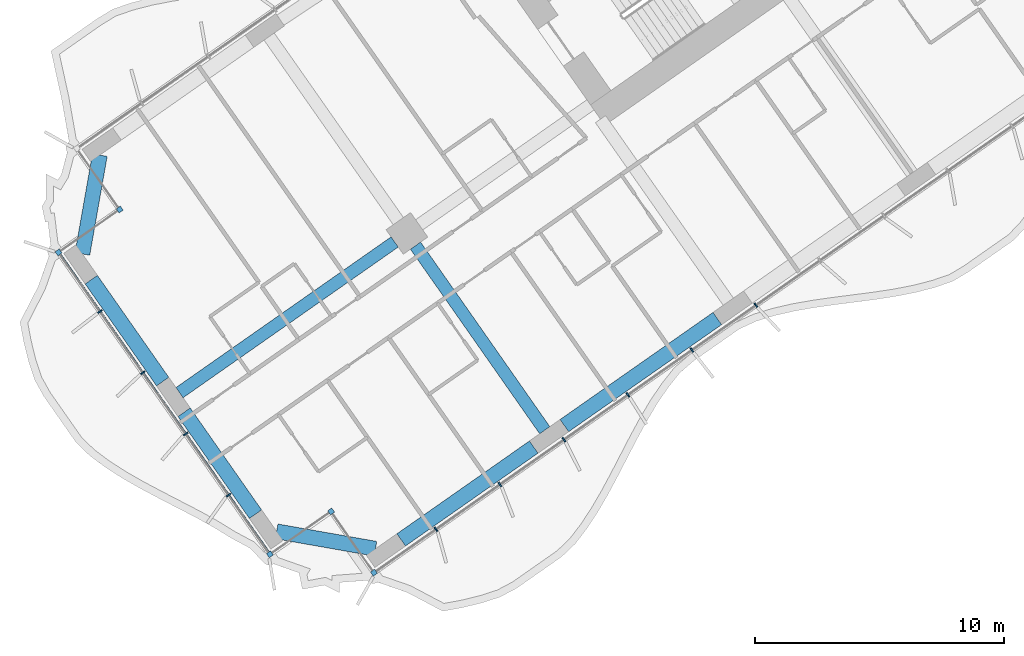
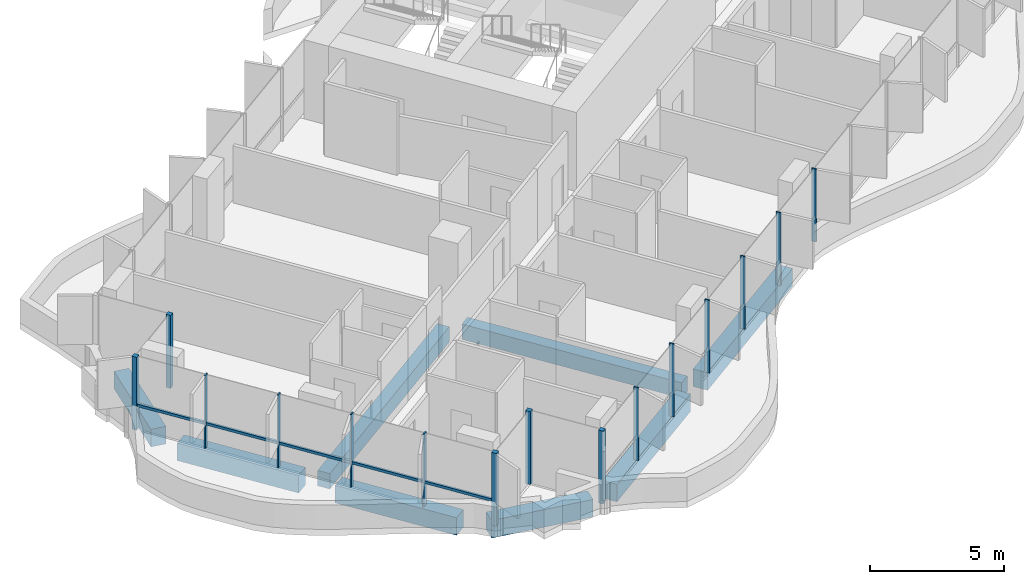
# One storey, part 2 of 25: 16 members, 8 beams, 1 element without a shape of its own.
"""IFC4 building model written with IfcOpenShell, lengths in metres."""

from ifc_helpers import new_model, si_unit, direction, frame, origin, origin_2d, place, context, subcontext, project, spatial, rectangle, extrude, material, material_profile, profile_set, type_object, element, aggregate, save


model = new_model("IFC4")

# Units and contexts
model_context = context("Model", 3, precision=1e-05, world=origin(), true_north=direction((0.0, 1.0)))
body_context = subcontext(model_context, "Body", "Model", "MODEL_VIEW")
ifc_project = project(units=[si_unit("LENGTHUNIT", "METRE"), si_unit("AREAUNIT", "SQUARE_METRE"), si_unit("VOLUMEUNIT", "CUBIC_METRE"), si_unit("PLANEANGLEUNIT", "RADIAN"), si_unit("MASSUNIT", "GRAM", prefix="KILO")], contexts=[model_context])

# Site, building, storey
site_placement = place(None, origin())
site = spatial("IfcSite", under=ifc_project, at=site_placement, CompositionType="ELEMENT")
building_placement = place(site_placement, origin())
building = spatial("IfcBuilding", under=site, at=building_placement, Name="Tel Ilan Convention Tower", CompositionType="ELEMENT")
storey_placement = place(building_placement, frame((0.0, 0.0, 58.10009765625)))
storey = spatial("IfcBuildingStorey", under=building, at=storey_placement, Name="L09", CompositionType="ELEMENT", Elevation=58.10009765625)

# Beams
ifc_material_1 = material(Name="Concrete C40/50", Category="concrete")
ifc_material_profile_1 = material_profile(ifc_material_1, rectangle(XDim=0.5, YDim=0.699951171875, at=origin_2d()), Name="RC 500x700")
ifc_profile_set_1 = profile_set([ifc_material_profile_1], Name="Concrete C40/50")
beam_type_1 = type_object("IfcBeamType", Name="Beam RC 500x700 Concrete C40/50", PredefinedType="BEAM", material=ifc_profile_set_1)
beam_1_placement = place(storey_placement, frame((-29.98095703125, -20.992919921875, -0.630126953125), z_axis=(-0.819151461915, -0.573577268067, 0.0), x_axis=(0.573577268067, -0.819151461915, 0.0)))
element("IfcBeam", 1, at=beam_1_placement, inside=storey, type_object=beam_type_1, Name="L09 beam W-W-M4-end", PredefinedType="BEAM", context=body_context, shape_type="SweptSolid", body=[
    extrude(rectangle(XDim=0.5, YDim=0.699951171875, at=origin_2d()), origin(), (0.0, 0.0, 1.0), 10.550048828125),
])
beam_2_placement = place(storey_placement, frame((-29.145263671875, -21.14013671875, -0.630126953125), z_axis=(0.573549245583, -0.819171082798, 0.0), x_axis=(0.819171082798, 0.573549245583, 0.0)))
element("IfcBeam", 2, at=beam_2_placement, inside=storey, type_object=beam_type_1, Name="L09 beam W-W-M4-W-F4", PredefinedType="BEAM", context=body_context, shape_type="SweptSolid", body=[
    extrude(rectangle(XDim=0.5, YDim=0.699951171875, at=origin_2d()), origin(), (0.0, 0.0, 1.0), 9.050048828125),
])
ifc_material_2 = material(Name="Concrete C40/50", Category="concrete")
ifc_material_profile_2 = material_profile(ifc_material_2, rectangle(XDim=0.60009765625, YDim=0.800048828125, at=origin_2d()), Name="RC 600x800")
ifc_profile_set_2 = profile_set([ifc_material_profile_2], Name="Concrete C40/50")
beam_type_2 = type_object("IfcBeamType", Name="Beam RC 600x800 Concrete C40/50", PredefinedType="BEAM", material=ifc_profile_set_2)
beam_3_placement = place(storey_placement, frame((-17.0244140625, -24.0673828125, -0.68017578125), z_axis=(-0.81915238829, -0.573575945067, 0.0), x_axis=(0.573575945067, -0.81915238829, 0.0)))
element("IfcBeam", 3, at=beam_3_placement, inside=storey, type_object=beam_type_2, Name="L09 beam W-W-F3-W-F4", PredefinedType="BEAM", context=body_context, shape_type="SweptSolid", body=[
    extrude(rectangle(XDim=0.60009765625, YDim=0.800048828125, at=origin_2d()), origin(), (0.0, 0.0, 1.0), 7.5),
])
beam_4_placement = place(storey_placement, frame((-24.396728515625, -29.2294921875, -0.68017578125), z_axis=(-0.819148977158, -0.573580816643, 0.0), x_axis=(0.573580816643, -0.819148977158, 0.0)))
element("IfcBeam", 4, at=beam_4_placement, inside=storey, type_object=beam_type_2, Name="L09 beam W-W-F4-W-FC", PredefinedType="BEAM", context=body_context, shape_type="SweptSolid", body=[
    extrude(rectangle(XDim=0.60009765625, YDim=0.800048828125, at=origin_2d()), origin(), (0.0, 0.0, 1.0), 6.5),
])
beam_5_placement = place(storey_placement, frame((-30.75341796875, -33.314208984375, -0.68017578125), z_axis=(-0.984815252405, 0.173605641124, 0.0), x_axis=(-0.173605641124, -0.984815252405, 0.0)))
element("IfcBeam", 5, at=beam_5_placement, inside=storey, type_object=beam_type_2, Name="L09 beam W-W-FC-W-E1", PredefinedType="BEAM", context=body_context, shape_type="SweptSolid", body=[
    extrude(rectangle(XDim=0.60009765625, YDim=0.800048828125, at=origin_2d()), origin(), (0.0, 0.0, 1.0), 4.030517578125),
])
for number, where, z_axis, x_axis, name in (
    (6, (-35.57080078125, -31.92626953125, -0.68017578125), (-0.573586866468, 0.819144740944, 0.0), (-0.819144740944, -0.573586866468, 0.0), "L09 beam W-W-E1-W-E2"),
    (7, (-39.298828125, -26.601806640625, -0.68017578125), (-0.573586866468, 0.819144740944, 0.0), (-0.819144740944, -0.573586866468, 0.0), "L09 beam W-W-E2-W-E3"),
):
    element("IfcBeam", number, at=place(storey_placement, frame(where, z_axis=z_axis, x_axis=x_axis)), inside=storey, type_object=beam_type_2, Name=name, PredefinedType="BEAM", context=body_context, shape_type="SweptSolid", body=[
        extrude(rectangle(XDim=0.60009765625, YDim=0.800048828125, at=origin_2d()), origin(), (0.0, 0.0, 1.0), 5.0),
    ])
beam_6_placement = place(storey_placement, frame((-42.523193359375, -21.473876953125, -0.68017578125), z_axis=(0.173605641124, 0.984815252405, 0.0), x_axis=(-0.984815252405, 0.173605641124, 0.0)))
element("IfcBeam", 8, at=beam_6_placement, inside=storey, type_object=beam_type_2, Name="L09 beam W-W-E3-W-BC", PredefinedType="BEAM", context=body_context, shape_type="SweptSolid", body=[
    extrude(rectangle(XDim=0.60009765625, YDim=0.800048828125, at=origin_2d()), origin(), (0.0, 0.0, 1.0), 4.030517578125),
])

# Curtain wall, members
ifc_material_3 = material(Name="Aluminium, bronze anodised", Category="aluminium")
curtain_wall_type = type_object("IfcCurtainWallType", Name="CW1 UNITISED CURTAIN WALL, HOTEL TINTED GLASS", PredefinedType="NOTDEFINED", material=ifc_material_3)
curtain_wall_placement = place(storey_placement, origin())
curtain_wall = element("IfcCurtainWall", 9, at=curtain_wall_placement, inside=storey, type_object=curtain_wall_type, Name="Curtain wall CW1-11.02", PredefinedType="NOTDEFINED")
ifc_material_4 = material(Name="Aluminium, bronze anodised", Category="aluminium")
ifc_material_profile_3 = material_profile(ifc_material_4, rectangle(XDim=0.199951171875, YDim=0.199951171875, at=origin_2d()), Name="CW CORNER MULLION 200x200")
ifc_profile_set_3 = profile_set([ifc_material_profile_3], Name="Aluminium, bronze anodised")
member_type_1 = type_object("IfcMemberType", Name="CW CORNER MULLION 200x200", PredefinedType="MULLION", material=ifc_profile_set_3)
member_1_placement = place(storey_placement, frame((-41.0244140625, -19.69189453125, 0.0), z_axis=(0.0, 0.0, 1.0), x_axis=(0.573576436351, -0.819152044289, 0.0)))
member_1 = element("IfcMember", 10, at=member_1_placement, type_object=member_type_1, Name="Corner mullion", PredefinedType="MULLION", context=body_context, shape_type="SweptSolid", body=[
    extrude(rectangle(XDim=0.199951171875, YDim=0.199951171875, at=origin_2d()), origin(), (0.0, 0.0, 1.0), 3.31982421875),
])
member_2_placement = place(storey_placement, frame((-43.48193359375, -21.41259765625, 0.0), z_axis=(0.0, 0.0, 1.0), x_axis=(-0.819152044289, -0.573576436351, 0.0)))
member_2 = element("IfcMember", 11, at=member_2_placement, type_object=member_type_1, Name="Corner mullion", PredefinedType="MULLION", context=body_context, shape_type="SweptSolid", body=[
    extrude(rectangle(XDim=0.199951171875, YDim=0.199951171875, at=origin_2d()), origin(), (0.0, 0.0, 1.0), 3.31982421875),
])
member_3_placement = place(storey_placement, frame((-34.992919921875, -33.5361328125, 0.0), z_axis=(0.0, 0.0, 1.0), x_axis=(0.573576436351, -0.819152044289, 0.0)))
member_3 = element("IfcMember", 12, at=member_3_placement, type_object=member_type_1, Name="Corner mullion", PredefinedType="MULLION", context=body_context, shape_type="SweptSolid", body=[
    extrude(rectangle(XDim=0.199951171875, YDim=0.199951171875, at=origin_2d()), origin(), (0.0, 0.0, 1.0), 3.31982421875),
])
member_4_placement = place(storey_placement, frame((-32.535400390625, -31.815185546875, 0.0), z_axis=(0.0, 0.0, 1.0), x_axis=(0.819152044289, 0.573576436351, 0.0)))
member_4 = element("IfcMember", 13, at=member_4_placement, type_object=member_type_1, Name="Corner mullion", PredefinedType="MULLION", context=body_context, shape_type="SweptSolid", body=[
    extrude(rectangle(XDim=0.199951171875, YDim=0.199951171875, at=origin_2d()), origin(), (0.0, 0.0, 1.0), 3.31982421875),
])
member_5_placement = place(storey_placement, frame((-30.814697265625, -34.272705078125, 0.0), z_axis=(0.0, 0.0, 1.0), x_axis=(0.573576436351, -0.819152044289, 0.0)))
member_5 = element("IfcMember", 14, at=member_5_placement, type_object=member_type_1, Name="Corner mullion", PredefinedType="MULLION", context=body_context, shape_type="SweptSolid", body=[
    extrude(rectangle(XDim=0.199951171875, YDim=0.199951171875, at=origin_2d()), origin(), (0.0, 0.0, 1.0), 3.31982421875),
])
ifc_material_5 = material(Name="Aluminium, bronze anodised", Category="aluminium")
ifc_material_profile_4 = material_profile(ifc_material_5, rectangle(XDim=0.06005859375, YDim=0.199951171875, at=origin_2d()), Name="CW MULLION 60x200")
ifc_profile_set_4 = profile_set([ifc_material_profile_4], Name="Aluminium, bronze anodised")
member_type_2 = type_object("IfcMemberType", Name="CW MULLION 60x200", PredefinedType="MULLION", material=ifc_profile_set_4)
member_6_placement = place(storey_placement, frame((-41.818359375, -23.7880859375, 0.0), z_axis=(0.0, 0.0, 1.0), x_axis=(0.573576436351, -0.819152044289, 0.0)))
member_6 = element("IfcMember", 15, at=member_6_placement, type_object=member_type_2, Name="Mullion", PredefinedType="MULLION", context=body_context, shape_type="SweptSolid", body=[
    extrude(rectangle(XDim=0.06005859375, YDim=0.199951171875, at=origin_2d()), origin(), (0.0, 0.0, 1.0), 3.31982421875),
])
member_7_placement = place(storey_placement, frame((-40.09765625, -26.24560546875, 0.0), z_axis=(0.0, 0.0, 1.0), x_axis=(0.573576436351, -0.819152044289, 0.0)))
member_7 = element("IfcMember", 16, at=member_7_placement, type_object=member_type_2, Name="Mullion", PredefinedType="MULLION", context=body_context, shape_type="SweptSolid", body=[
    extrude(rectangle(XDim=0.06005859375, YDim=0.199951171875, at=origin_2d()), origin(), (0.0, 0.0, 1.0), 3.31982421875),
])
member_8_placement = place(storey_placement, frame((-38.376953125, -28.703125, 0.0), z_axis=(0.0, 0.0, 1.0), x_axis=(0.573576436351, -0.819152044289, 0.0)))
member_8 = element("IfcMember", 17, at=member_8_placement, type_object=member_type_2, Name="Mullion", PredefinedType="MULLION", context=body_context, shape_type="SweptSolid", body=[
    extrude(rectangle(XDim=0.06005859375, YDim=0.199951171875, at=origin_2d()), origin(), (0.0, 0.0, 1.0), 3.31982421875),
])
member_9_placement = place(storey_placement, frame((-36.65625, -31.160400390625, 0.0), z_axis=(0.0, 0.0, 1.0), x_axis=(0.573576436351, -0.819152044289, 0.0)))
member_9 = element("IfcMember", 18, at=member_9_placement, type_object=member_type_2, Name="Mullion", PredefinedType="MULLION", context=body_context, shape_type="SweptSolid", body=[
    extrude(rectangle(XDim=0.06005859375, YDim=0.199951171875, at=origin_2d()), origin(), (0.0, 0.0, 1.0), 3.31982421875),
])
member_10_placement = place(storey_placement, frame((-28.32666015625, -32.530517578125, 0.0), z_axis=(0.0, 0.0, 1.0), x_axis=(0.819152044289, 0.573576436351, 0.0)))
member_10 = element("IfcMember", 19, at=member_10_placement, type_object=member_type_2, Name="Mullion", PredefinedType="MULLION", context=body_context, shape_type="SweptSolid", body=[
    extrude(rectangle(XDim=0.06005859375, YDim=0.199951171875, at=origin_2d()), origin(), (0.0, 0.0, 1.0), 3.31982421875),
])
member_11_placement = place(storey_placement, frame((-25.7568359375, -30.731201171875, 0.0), z_axis=(0.0, 0.0, 1.0), x_axis=(0.819152044289, 0.573576436351, 0.0)))
member_11 = element("IfcMember", 20, at=member_11_placement, type_object=member_type_2, Name="Mullion", PredefinedType="MULLION", context=body_context, shape_type="SweptSolid", body=[
    extrude(rectangle(XDim=0.06005859375, YDim=0.199951171875, at=origin_2d()), origin(), (0.0, 0.0, 1.0), 3.31982421875),
])
member_12_placement = place(storey_placement, frame((-23.186767578125, -28.931640625, 0.0), z_axis=(0.0, 0.0, 1.0), x_axis=(0.819152044289, 0.573576436351, 0.0)))
member_12 = element("IfcMember", 21, at=member_12_placement, type_object=member_type_2, Name="Mullion", PredefinedType="MULLION", context=body_context, shape_type="SweptSolid", body=[
    extrude(rectangle(XDim=0.06005859375, YDim=0.199951171875, at=origin_2d()), origin(), (0.0, 0.0, 1.0), 3.31982421875),
])
member_13_placement = place(storey_placement, frame((-20.616943359375, -27.132080078125, 0.0), z_axis=(0.0, 0.0, 1.0), x_axis=(0.819152044289, 0.573576436351, 0.0)))
member_13 = element("IfcMember", 22, at=member_13_placement, type_object=member_type_2, Name="Mullion", PredefinedType="MULLION", context=body_context, shape_type="SweptSolid", body=[
    extrude(rectangle(XDim=0.06005859375, YDim=0.199951171875, at=origin_2d()), origin(), (0.0, 0.0, 1.0), 3.31982421875),
])
member_14_placement = place(storey_placement, frame((-18.046875, -25.332763671875, 0.0), z_axis=(0.0, 0.0, 1.0), x_axis=(0.819152044289, 0.573576436351, 0.0)))
member_14 = element("IfcMember", 23, at=member_14_placement, type_object=member_type_2, Name="Mullion", PredefinedType="MULLION", context=body_context, shape_type="SweptSolid", body=[
    extrude(rectangle(XDim=0.06005859375, YDim=0.199951171875, at=origin_2d()), origin(), (0.0, 0.0, 1.0), 3.31982421875),
])
member_15_placement = place(storey_placement, frame((-15.47705078125, -23.533203125, 0.0), z_axis=(0.0, 0.0, 1.0), x_axis=(0.819152044289, 0.573576436351, 0.0)))
member_15 = element("IfcMember", 24, at=member_15_placement, type_object=member_type_2, Name="Mullion", PredefinedType="MULLION", context=body_context, shape_type="SweptSolid", body=[
    extrude(rectangle(XDim=0.06005859375, YDim=0.199951171875, at=origin_2d()), origin(), (0.0, 0.0, 1.0), 3.31982421875),
])
ifc_material_6 = material(Name="Aluminium, bronze anodised", Category="aluminium")
ifc_material_profile_5 = material_profile(ifc_material_6, rectangle(XDim=0.10009765625, YDim=0.1201171875, at=origin_2d()), Name="CW TRANSOM 100x120")
ifc_profile_set_5 = profile_set([ifc_material_profile_5], Name="Aluminium, bronze anodised")
member_type_3 = type_object("IfcMemberType", Name="CW TRANSOM 100x120", PredefinedType="USERDEFINED", material=ifc_profile_set_5)
member_16_placement = place(storey_placement, frame((-43.424560546875, -21.494384765625, 1.099853515625), z_axis=(0.573575688231, -0.819152568128, 0.0), x_axis=(0.819152568128, 0.573575688231, 0.0)))
member_16 = element("IfcMember", 25, at=member_16_placement, type_object=member_type_3, Name="Transom", ObjectType="TRANSOM", PredefinedType="USERDEFINED", context=body_context, shape_type="SweptSolid", body=[
    extrude(rectangle(XDim=0.10009765625, YDim=0.1201171875, at=origin_2d()), origin(), (0.0, 0.0, 1.0), 14.60009765625),
])
aggregate(curtain_wall, [member_1, member_2, member_6, member_7, member_8, member_9, member_3, member_16, member_4, member_5, member_10, member_11, member_12, member_13, member_14, member_15])

save(model, "model.ifc")
